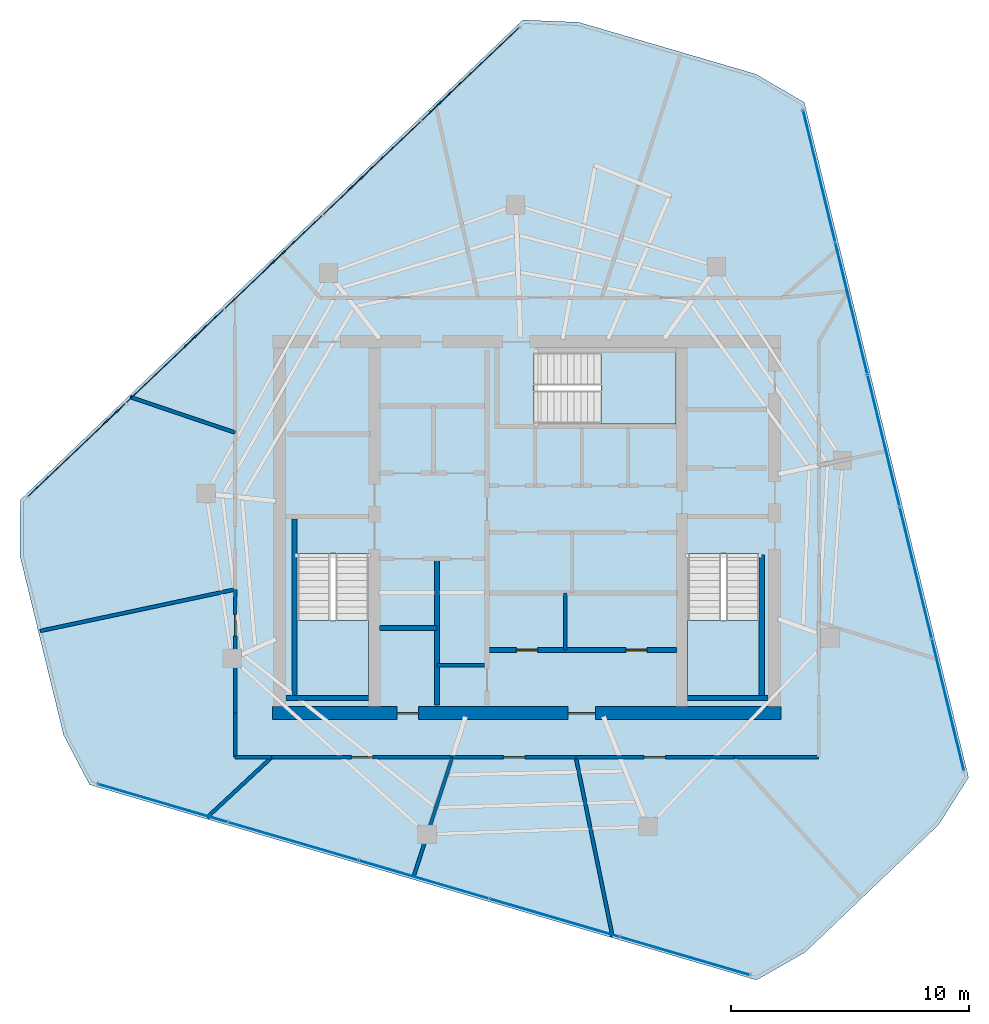
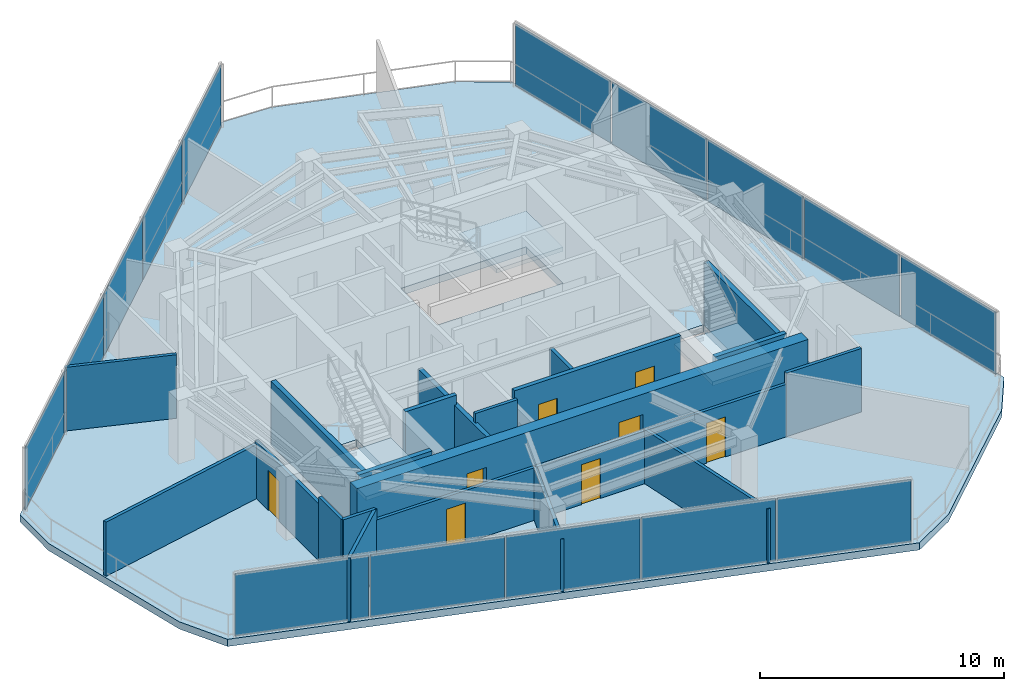
# One storey, part 14 of 19: 22 walls, 15 plates, 8 doors, 4 slabs, 8 openings, 6 elements without a shape of their own.
"""IFC4 building model written with IfcOpenShell, lengths in metres."""

from ifc_helpers import new_model, si_unit, direction, frame, frame_2d, origin, origin_2d, place, context, subcontext, project, spatial, polyline, rectangle, outline, extrude, material, layer, layer_set, type_object, element, fill, aggregate, save


model = new_model("IFC4")

# Units and contexts
model_context = context("Model", 3, precision=1e-05, world=origin(), true_north=direction((0.0, 1.0)))
body_context = subcontext(model_context, "Body", "Model", "MODEL_VIEW")
ifc_project = project(units=[si_unit("LENGTHUNIT", "METRE"), si_unit("AREAUNIT", "SQUARE_METRE"), si_unit("VOLUMEUNIT", "CUBIC_METRE"), si_unit("PLANEANGLEUNIT", "RADIAN"), si_unit("MASSUNIT", "GRAM", prefix="KILO")], contexts=[model_context])

# Site, building, storey
site_placement = place(None, origin())
site = spatial("IfcSite", under=ifc_project, at=site_placement, CompositionType="ELEMENT")
building_placement = place(site_placement, origin())
building = spatial("IfcBuilding", under=site, at=building_placement, Name="Qarnah Convention Tower", CompositionType="ELEMENT")
storey_placement = place(building_placement, frame((0.0, 0.0, 231.89990234375)))
storey = spatial("IfcBuildingStorey", under=building, at=storey_placement, Name="L62", CompositionType="ELEMENT", Elevation=231.89990234375)

# Curtain wall, plates
ifc_material_1 = material(Name="Tempered Low-E dark glass", Category="glass")
ifc_layer_1 = layer(ifc_material_1, 0.176025390625)
ifc_layer_set_1 = layer_set([ifc_layer_1], Name="Tempered Low-E dark glass")
curtain_wall_type = type_object("IfcCurtainWallType", Name="CWS-05", PredefinedType="NOTDEFINED", material=ifc_layer_set_1)
curtain_wall_1_placement = place(storey_placement, origin())
curtain_wall_1 = element("IfcCurtainWall", 1, at=curtain_wall_1_placement, inside=storey, type_object=curtain_wall_type, Name="L62 unitised curtain wall CW-L62-F1", PredefinedType="NOTDEFINED")
ifc_layer_2 = layer(ifc_material_1, 0.035888671875)
ifc_layer_set_2 = layer_set([ifc_layer_2], Name="Tempered Low-E dark glass")
plate_type = type_object("IfcPlateType", Name="PNL-T5", PredefinedType="CURTAIN_PANEL", material=ifc_layer_set_2)
plate_1_placement = place(storey_placement, frame((18.29150390625, 29.6513671875, 0.0400390625), z_axis=(0.0, 0.0, 1.0), x_axis=(0.723193439015, 0.6906455312, 0.0)))
plate_1 = element("IfcPlate", 2, at=plate_1_placement, type_object=plate_type, Name="CW-L62-F1 curtain panel 1.1", PredefinedType="CURTAIN_PANEL", context=body_context, shape_type="SweptSolid", body=[
    extrude(rectangle(XDim=5.634765625, YDim=0.035888671875, at=origin_2d()), origin(), (0.0, 0.0, 1.0), 3.10009765625),
])
plate_2_placement = place(storey_placement, frame((22.42431640625, 33.59814453125, 0.0400390625), z_axis=(0.0, 0.0, 1.0), x_axis=(0.723193439015, 0.6906455312, 0.0)))
plate_2 = element("IfcPlate", 3, at=plate_2_placement, type_object=plate_type, Name="CW-L62-F1 curtain panel 2.1", PredefinedType="CURTAIN_PANEL", context=body_context, shape_type="SweptSolid", body=[
    extrude(rectangle(XDim=5.634765625, YDim=0.035888671875, at=origin_2d()), origin(), (0.0, 0.0, 1.0), 3.10009765625),
])
plate_3_placement = place(storey_placement, frame((26.556884765625, 37.544921875, 0.0400390625), z_axis=(0.0, 0.0, 1.0), x_axis=(0.723193439015, 0.6906455312, 0.0)))
plate_3 = element("IfcPlate", 4, at=plate_3_placement, type_object=plate_type, Name="CW-L62-F1 curtain panel 3.1", PredefinedType="CURTAIN_PANEL", context=body_context, shape_type="SweptSolid", body=[
    extrude(rectangle(XDim=5.634765625, YDim=0.035888671875, at=origin_2d()), origin(), (0.0, 0.0, 1.0), 3.10009765625),
])
plate_4_placement = place(storey_placement, frame((30.689697265625, 41.49169921875, 0.0400390625), z_axis=(0.0, 0.0, 1.0), x_axis=(0.723193439015, 0.6906455312, 0.0)))
plate_4 = element("IfcPlate", 5, at=plate_4_placement, type_object=plate_type, Name="CW-L62-F1 curtain panel 4.1", PredefinedType="CURTAIN_PANEL", context=body_context, shape_type="SweptSolid", body=[
    extrude(rectangle(XDim=5.634765625, YDim=0.035888671875, at=origin_2d()), origin(), (0.0, 0.0, 1.0), 3.10009765625),
])
plate_5_placement = place(storey_placement, frame((34.822509765625, 45.438720703125, 0.0400390625), z_axis=(0.0, 0.0, 1.0), x_axis=(0.723193439015, 0.6906455312, 0.0)))
plate_5 = element("IfcPlate", 6, at=plate_5_placement, type_object=plate_type, Name="CW-L62-F1 curtain panel 5.1", PredefinedType="CURTAIN_PANEL", context=body_context, shape_type="SweptSolid", body=[
    extrude(rectangle(XDim=5.634765625, YDim=0.035888671875, at=origin_2d()), origin(), (0.0, 0.0, 1.0), 3.10009765625),
])
aggregate(curtain_wall_1, [plate_1, plate_2, plate_3, plate_4, plate_5])

curtain_wall_2_placement = place(storey_placement, origin())
curtain_wall_2 = element("IfcCurtainWall", 7, at=curtain_wall_2_placement, inside=storey, type_object=curtain_wall_type, Name="L62 unitised curtain wall CW-L62-F2", PredefinedType="NOTDEFINED")
plate_6_placement = place(storey_placement, frame((43.837890625, 8.39794921875, 0.0400390625), z_axis=(0.0, 0.0, 1.0), x_axis=(-0.959696432699, 0.28103871097, 0.0)))
plate_6 = element("IfcPlate", 8, at=plate_6_placement, type_object=plate_type, Name="CW-L62-F2 curtain panel 1.1", PredefinedType="CURTAIN_PANEL", context=body_context, shape_type="SweptSolid", body=[
    extrude(rectangle(XDim=5.634521484375, YDim=0.035888671875, at=origin_2d()), origin(), (0.0, 0.0, 1.0), 3.10009765625),
])
plate_7_placement = place(storey_placement, frame((38.353759765625, 10.00390625, 0.0400390625), z_axis=(0.0, 0.0, 1.0), x_axis=(-0.959696432699, 0.28103871097, 0.0)))
plate_7 = element("IfcPlate", 9, at=plate_7_placement, type_object=plate_type, Name="CW-L62-F2 curtain panel 2.1", PredefinedType="CURTAIN_PANEL", context=body_context, shape_type="SweptSolid", body=[
    extrude(rectangle(XDim=5.634521484375, YDim=0.035888671875, at=origin_2d()), origin(), (0.0, 0.0, 1.0), 3.10009765625),
])
plate_8_placement = place(storey_placement, frame((32.869384765625, 11.610107421875, 0.0400390625), z_axis=(0.0, 0.0, 1.0), x_axis=(-0.959696432699, 0.28103871097, 0.0)))
plate_8 = element("IfcPlate", 10, at=plate_8_placement, type_object=plate_type, Name="CW-L62-F2 curtain panel 3.1", PredefinedType="CURTAIN_PANEL", context=body_context, shape_type="SweptSolid", body=[
    extrude(rectangle(XDim=5.634521484375, YDim=0.035888671875, at=origin_2d()), origin(), (0.0, 0.0, 1.0), 3.10009765625),
])
plate_9_placement = place(storey_placement, frame((27.38525390625, 13.216064453125, 0.0400390625), z_axis=(0.0, 0.0, 1.0), x_axis=(-0.959696432699, 0.28103871097, 0.0)))
plate_9 = element("IfcPlate", 11, at=plate_9_placement, type_object=plate_type, Name="CW-L62-F2 curtain panel 4.1", PredefinedType="CURTAIN_PANEL", context=body_context, shape_type="SweptSolid", body=[
    extrude(rectangle(XDim=5.634521484375, YDim=0.035888671875, at=origin_2d()), origin(), (0.0, 0.0, 1.0), 3.10009765625),
])
plate_10_placement = place(storey_placement, frame((21.901123046875, 14.822021484375, 0.0400390625), z_axis=(0.0, 0.0, 1.0), x_axis=(-0.959696432699, 0.28103871097, 0.0)))
plate_10 = element("IfcPlate", 12, at=plate_10_placement, type_object=plate_type, Name="CW-L62-F2 curtain panel 5.1", PredefinedType="CURTAIN_PANEL", context=body_context, shape_type="SweptSolid", body=[
    extrude(rectangle(XDim=5.634521484375, YDim=0.035888671875, at=origin_2d()), origin(), (0.0, 0.0, 1.0), 3.10009765625),
])
aggregate(curtain_wall_2, [plate_6, plate_7, plate_8, plate_9, plate_10])

curtain_wall_3_placement = place(storey_placement, origin())
curtain_wall_3 = element("IfcCurtainWall", 13, at=curtain_wall_3_placement, inside=storey, type_object=curtain_wall_type, Name="L62 unitised curtain wall CW-L62-F3", PredefinedType="NOTDEFINED")
plate_11_placement = place(storey_placement, frame((49.470703125, 41.14892578125, 0.0400390625), z_axis=(0.0, 0.0, 1.0), x_axis=(0.236494469189, -0.971632834996, 0.0)))
plate_11 = element("IfcPlate", 14, at=plate_11_placement, type_object=plate_type, Name="CW-L62-F3 curtain panel 1.1", PredefinedType="CURTAIN_PANEL", context=body_context, shape_type="SweptSolid", body=[
    extrude(rectangle(XDim=5.63427734375, YDim=0.035888671875, at=origin_2d()), origin(), (0.0, 0.0, 1.0), 3.10009765625),
])
plate_12_placement = place(storey_placement, frame((50.822021484375, 35.5966796875, 0.0400390625), z_axis=(0.0, 0.0, 1.0), x_axis=(0.236494469189, -0.971632834996, 0.0)))
plate_12 = element("IfcPlate", 15, at=plate_12_placement, type_object=plate_type, Name="CW-L62-F3 curtain panel 2.1", PredefinedType="CURTAIN_PANEL", context=body_context, shape_type="SweptSolid", body=[
    extrude(rectangle(XDim=5.63427734375, YDim=0.035888671875, at=origin_2d()), origin(), (0.0, 0.0, 1.0), 3.10009765625),
])
plate_13_placement = place(storey_placement, frame((52.173583984375, 30.04443359375, 0.0400390625), z_axis=(0.0, 0.0, 1.0), x_axis=(0.236494469189, -0.971632834996, 0.0)))
plate_13 = element("IfcPlate", 16, at=plate_13_placement, type_object=plate_type, Name="CW-L62-F3 curtain panel 3.1", PredefinedType="CURTAIN_PANEL", context=body_context, shape_type="SweptSolid", body=[
    extrude(rectangle(XDim=5.63427734375, YDim=0.035888671875, at=origin_2d()), origin(), (0.0, 0.0, 1.0), 3.10009765625),
])
plate_14_placement = place(storey_placement, frame((53.52490234375, 24.4921875, 0.0400390625), z_axis=(0.0, 0.0, 1.0), x_axis=(0.236494469189, -0.971632834996, 0.0)))
plate_14 = element("IfcPlate", 17, at=plate_14_placement, type_object=plate_type, Name="CW-L62-F3 curtain panel 4.1", PredefinedType="CURTAIN_PANEL", context=body_context, shape_type="SweptSolid", body=[
    extrude(rectangle(XDim=5.63427734375, YDim=0.035888671875, at=origin_2d()), origin(), (0.0, 0.0, 1.0), 3.10009765625),
])
plate_15_placement = place(storey_placement, frame((54.876220703125, 18.940185546875, 0.0400390625), z_axis=(0.0, 0.0, 1.0), x_axis=(0.236494469189, -0.971632834996, 0.0)))
plate_15 = element("IfcPlate", 18, at=plate_15_placement, type_object=plate_type, Name="CW-L62-F3 curtain panel 5.1", PredefinedType="CURTAIN_PANEL", context=body_context, shape_type="SweptSolid", body=[
    extrude(rectangle(XDim=5.63427734375, YDim=0.035888671875, at=origin_2d()), origin(), (0.0, 0.0, 1.0), 3.10009765625),
])
aggregate(curtain_wall_3, [plate_11, plate_12, plate_13, plate_14, plate_15])

# Stair, slab
ifc_material_2 = material(Name="Concrete C50/60", Category="concrete")
stair_type = type_object("IfcStairType", Name="STR-OFF", PredefinedType="HALF_TURN_STAIR", material=ifc_material_2)
stair_1_placement = place(storey_placement, origin())
stair_1 = element("IfcStair", 19, at=stair_1_placement, inside=storey, type_object=stair_type, Name="L62 Core exit stair ST-1", PredefinedType="HALF_TURN_STAIR")
ifc_layer_3 = layer(ifc_material_2, 0.199951171875)
ifc_layer_set_3 = layer_set([ifc_layer_3], Name="Concrete C50/60")
slab_type_1 = type_object("IfcSlabType", Name="SLB-LANDING-200", PredefinedType="LANDING", material=ifc_layer_set_3)
slab_1_placement = place(storey_placement, frame((0.0, 0.0, 1.60009765625)))
slab_1 = element("IfcSlab", 20, at=slab_1_placement, type_object=slab_type_1, Name="ST-1 landing 1", PredefinedType="LANDING", context=body_context, shape_type="SweptSolid", body=[
    extrude(outline(polyline([(27.550048828125, 22.5), (27.550048828125, 19.35009765625), (30.550048828125, 19.35009765625), (30.550048828125, 22.5), (27.550048828125, 22.5)])), origin(), (0.0, 0.0, 1.0), 0.199951171875),
])
aggregate(stair_1, [slab_1])

stair_2_placement = place(storey_placement, origin())
stair_2 = element("IfcStair", 21, at=stair_2_placement, inside=storey, type_object=stair_type, Name="L62 Core exit stair ST-2", PredefinedType="HALF_TURN_STAIR")
slab_2_placement = place(storey_placement, frame((0.0, 0.0, 1.60009765625)))
slab_2 = element("IfcSlab", 22, at=slab_2_placement, type_object=slab_type_1, Name="ST-2 landing 1", PredefinedType="LANDING", context=body_context, shape_type="SweptSolid", body=[
    extrude(outline(polyline([(43.949951171875, 22.5), (43.949951171875, 19.35009765625), (46.949951171875, 19.35009765625), (46.949951171875, 22.5), (43.949951171875, 22.5)])), origin(), (0.0, 0.0, 1.0), 0.199951171875),
])
aggregate(stair_2, [slab_2])

stair_3_placement = place(storey_placement, origin())
stair_3 = element("IfcStair", 23, at=stair_3_placement, inside=storey, type_object=stair_type, Name="L62 Core exit stair ST-3", PredefinedType="HALF_TURN_STAIR")
slab_3_placement = place(storey_placement, frame((0.0, 0.0, 1.60009765625)))
slab_3 = element("IfcSlab", 24, at=slab_3_placement, type_object=slab_type_1, Name="ST-3 landing 1", PredefinedType="LANDING", context=body_context, shape_type="SweptSolid", body=[
    extrude(outline(polyline([(40.300048828125, 30.75), (43.449951171875, 30.75), (43.449951171875, 33.75), (40.300048828125, 33.75), (40.300048828125, 30.75)])), origin(), (0.0, 0.0, 1.0), 0.199951171875),
])
aggregate(stair_3, [slab_3])

# Slab
ifc_layer_4 = layer(ifc_material_2, 0.360107421875)
ifc_layer_set_4 = layer_set([ifc_layer_4], Name="Concrete C50/60")
slab_type_2 = type_object("IfcSlabType", Name="SLB-PLT-360", PredefinedType="FLOOR", material=ifc_layer_set_4)
slab_4_placement = place(storey_placement, frame((0.0, 0.0, -0.35986328125)))
element("IfcSlab", 25, at=slab_4_placement, inside=storey, type_object=slab_type_2, Name="L62 structural floor slab", PredefinedType="FLOOR", context=body_context, shape_type="SweptSolid", body=[
    extrude(outline(polyline([(37.02294921875, 47.7060546875), (15.925048828125, 27.55810546875), (15.912109375, 25.2060546875), (17.7451171875, 17.677001953125), (18.8369140625, 15.593994140625), (46.833984375, 7.39599609375), (48.8779296875, 8.56103515625), (54.48193359375, 13.9130859375), (55.739990234375, 15.90087890625), (48.841064453125, 44.2451171875), (46.81005859375, 45.43310546875), (39.373046875, 47.610107421875), (37.02294921875, 47.7060546875)]), holes=[polyline([(27.550048828125, 25.300048828125), (27.550048828125, 19.35009765625), (30.550048828125, 19.35009765625), (30.550048828125, 25.300048828125), (27.550048828125, 25.300048828125)]), polyline([(43.949951171875, 25.300048828125), (43.949951171875, 19.35009765625), (46.949951171875, 19.35009765625), (46.949951171875, 25.300048828125), (43.949951171875, 25.300048828125)]), polyline([(37.5, 30.75), (43.449951171875, 30.75), (43.449951171875, 33.75), (37.5, 33.75), (37.5, 30.75)])]), origin(), (0.0, 0.0, 1.0), 0.35986328125),
])

# Wall, openings, doors
ifc_material_3 = material(Name="Concrete C60/75", Category="concrete")
ifc_layer_5 = layer(ifc_material_3, 0.550048828125)
ifc_layer_set_5 = layer_set([ifc_layer_5], Name="Concrete C60/75")
wall_type_1 = type_object("IfcWallType", Name="WL-CORE-550", PredefinedType="SHEAR", material=ifc_layer_set_5)
wall_1_placement = place(storey_placement, frame((26.52490234375, 18.60009765625, 0.0), z_axis=(0.0, 0.0, 1.0), x_axis=(1.0, 0.0, 0.0)))
wall_1 = element("IfcWall", 26, at=wall_1_placement, inside=storey, type_object=wall_type_1, Name="L62 core south shear wall", PredefinedType="SHEAR", context=body_context, shape_type="SweptSolid", body=[
    extrude(rectangle(XDim=21.35009765625, YDim=0.550048828125, at=frame_2d((10.675048828125, 0.0))), origin(), (0.0, 0.0, 1.0), 3.18017578125),
])
opening_1_placement = place(wall_1_placement, frame((12.39990234375, 0.0, 0.0)))
opening_1 = element("IfcOpeningElement", 27, at=opening_1_placement, cuts=wall_1, Name="Opening D-6207", PredefinedType="OPENING", context=body_context, shape_type="SweptSolid", body=[
    extrude(rectangle(XDim=1.14990234375, YDim=2.14990234375, at=frame_2d((0.574951171875, 1.074951171875))), frame((0.0, 0.284912109375, 0.0), z_axis=(0.0, -1.0, 0.0), x_axis=(1.0, 0.0, 0.0)), (0.0, 0.0, 1.0), 0.570068359375),
])
opening_2_placement = place(wall_1_placement, frame((5.22509765625, 0.0, 0.0)))
opening_2 = element("IfcOpeningElement", 28, at=opening_2_placement, cuts=wall_1, Name="Opening D-6213", PredefinedType="OPENING", context=body_context, shape_type="SweptSolid", body=[
    extrude(rectangle(XDim=0.89990234375, YDim=2.10009765625, at=frame_2d((0.449951171875, 1.050048828125))), frame((0.0, 0.284912109375, 0.0), z_axis=(0.0, -1.0, 0.0), x_axis=(1.0, 0.0, 0.0)), (0.0, 0.0, 1.0), 0.570068359375),
])
ifc_material_4 = material(Name="Structural steel S355JR", Category="steel")
door_type_1 = type_object("IfcDoorType", Name="DT-LOBBY-1150", OperationType="NOTDEFINED", PredefinedType="DOOR", material=ifc_material_4)
door_1_placement = place(opening_1_placement, origin())
door_1 = element("IfcDoor", 29, at=door_1_placement, inside=storey, type_object=door_type_1, Name="Door D-6207", OperationType="SINGLE_SWING_LEFT", OverallHeight=2.14990234375, OverallWidth=1.14990234375, PredefinedType="DOOR", context=body_context, shape_type="SweptSolid", body=[
    extrude(rectangle(XDim=1.14990234375, YDim=2.14990234375, at=frame_2d((0.574951171875, 1.074951171875))), frame((0.0, 0.02490234375, 0.0), z_axis=(0.0, -1.0, 0.0), x_axis=(1.0, 0.0, 0.0)), (0.0, 0.0, 1.0), 0.050048828125),
])
fill(opening_1, door_1)
door_type_2 = type_object("IfcDoorType", Name="DT-RISER-900", OperationType="NOTDEFINED", PredefinedType="DOOR", material=ifc_material_4)
door_2_placement = place(opening_2_placement, origin())
door_2 = element("IfcDoor", 30, at=door_2_placement, inside=storey, type_object=door_type_2, Name="Door D-6213", OperationType="SINGLE_SWING_LEFT", OverallHeight=2.10009765625, OverallWidth=0.89990234375, PredefinedType="DOOR", context=body_context, shape_type="SweptSolid", body=[
    extrude(rectangle(XDim=0.89990234375, YDim=2.10009765625, at=frame_2d((0.449951171875, 1.050048828125))), frame((0.0, 0.02490234375, 0.0), z_axis=(0.0, -1.0, 0.0), x_axis=(1.0, 0.0, 0.0)), (0.0, 0.0, 1.0), 0.050048828125),
])
fill(opening_2, door_2)

# Walls
ifc_material_5 = material(Name="Concrete C45/55", Category="concrete")
ifc_layer_6 = layer(ifc_material_5, 0.199951171875)
ifc_layer_set_6 = layer_set([ifc_layer_6], Name="Concrete C45/55")
wall_type_2 = type_object("IfcWallType", Name="WL-CORE-PART-200", PredefinedType="SOLIDWALL", material=ifc_layer_set_6)
wall_2_placement = place(storey_placement, frame((33.419921875, 18.949951171875, 0.0), z_axis=(0.0, 0.0, 1.0), x_axis=(0.0, 1.0, 0.0)))
element("IfcWall", 31, at=wall_2_placement, inside=storey, type_object=wall_type_2, Name="L62 interior wall IW-L62-SVLE", PredefinedType="SOLIDWALL", context=body_context, shape_type="SweptSolid", body=[
    extrude(rectangle(XDim=6.130126953125, YDim=0.199951171875, at=frame_2d((3.06494140625, 0.0))), origin(), (0.0, 0.0, 1.0), 2.701171875),
])
wall_3_placement = place(storey_placement, frame((31.0, 22.179931640625, 0.0), z_axis=(0.0, 0.0, 1.0), x_axis=(1.0, 0.0, 0.0)))
element("IfcWall", 32, at=wall_3_placement, inside=storey, type_object=wall_type_2, Name="L62 interior wall IW-L62-SVLS", PredefinedType="SOLIDWALL", context=body_context, shape_type="SweptSolid", body=[
    extrude(rectangle(XDim=2.419921875, YDim=0.199951171875, at=frame_2d((1.2099609375, 0.0))), origin(), (0.0, 0.0, 1.0), 3.18017578125),
])

# Wall, openings, doors
wall_4_placement = place(storey_placement, frame((35.6201171875, 21.25, 0.0), z_axis=(0.0, 0.0, 1.0), x_axis=(1.0, 0.0, 0.0)))
wall_4 = element("IfcWall", 33, at=wall_4_placement, inside=storey, type_object=wall_type_2, Name="L62 interior wall IW-L62-PLS", PredefinedType="SOLIDWALL", context=body_context, shape_type="SweptSolid", body=[
    extrude(rectangle(XDim=7.8798828125, YDim=0.199951171875, at=frame_2d((3.93994140625, 0.0))), origin(), (0.0, 0.0, 1.0), 3.18017578125),
])
opening_3_placement = place(wall_4_placement, frame((1.1298828125, 0.0, 0.0)))
opening_3 = element("IfcOpeningElement", 34, at=opening_3_placement, cuts=wall_4, Name="Opening D-6216", PredefinedType="OPENING", context=body_context, shape_type="SweptSolid", body=[
    extrude(rectangle(XDim=0.89990234375, YDim=2.10009765625, at=frame_2d((0.449951171875, 1.050048828125))), frame((0.0, 0.10986328125, 0.0), z_axis=(0.0, -1.0, 0.0), x_axis=(1.0, 0.0, 0.0)), (0.0, 0.0, 1.0), 0.219970703125),
])
opening_4_placement = place(wall_4_placement, frame((5.72998046875, 0.0, 0.0)))
opening_4 = element("IfcOpeningElement", 35, at=opening_4_placement, cuts=wall_4, Name="Opening D-6217", PredefinedType="OPENING", context=body_context, shape_type="SweptSolid", body=[
    extrude(rectangle(XDim=0.89990234375, YDim=2.10009765625, at=frame_2d((0.449951171875, 1.050048828125))), frame((0.0, 0.10986328125, 0.0), z_axis=(0.0, -1.0, 0.0), x_axis=(1.0, 0.0, 0.0)), (0.0, 0.0, 1.0), 0.219970703125),
])
door_3_placement = place(opening_3_placement, origin())
door_3 = element("IfcDoor", 36, at=door_3_placement, inside=storey, type_object=door_type_2, Name="Door D-6216", OperationType="SINGLE_SWING_RIGHT", OverallHeight=2.10009765625, OverallWidth=0.89990234375, PredefinedType="DOOR", context=body_context, shape_type="SweptSolid", body=[
    extrude(rectangle(XDim=0.89990234375, YDim=2.10009765625, at=frame_2d((0.449951171875, 1.050048828125))), frame((0.0, 0.02490234375, 0.0), z_axis=(0.0, -1.0, 0.0), x_axis=(1.0, 0.0, 0.0)), (0.0, 0.0, 1.0), 0.050048828125),
])
fill(opening_3, door_3)
door_4_placement = place(opening_4_placement, origin())
door_4 = element("IfcDoor", 37, at=door_4_placement, inside=storey, type_object=door_type_2, Name="Door D-6217", OperationType="SINGLE_SWING_LEFT", OverallHeight=2.10009765625, OverallWidth=0.89990234375, PredefinedType="DOOR", context=body_context, shape_type="SweptSolid", body=[
    extrude(rectangle(XDim=0.89990234375, YDim=2.10009765625, at=frame_2d((0.449951171875, 1.050048828125))), frame((0.0, 0.02490234375, 0.0), z_axis=(0.0, -1.0, 0.0), x_axis=(1.0, 0.0, 0.0)), (0.0, 0.0, 1.0), 0.050048828125),
])
fill(opening_4, door_4)

# Walls
ifc_layer_7 = layer(ifc_material_3, 0.219970703125)
ifc_layer_set_7 = layer_set([ifc_layer_7], Name="Concrete C60/75")
wall_type_3 = type_object("IfcWallType", Name="WL-CORE-STAIR-220", PredefinedType="SHEAR", material=ifc_layer_set_7)
wall_5_placement = place(storey_placement, frame((27.43994140625, 19.35009765625, 0.0), z_axis=(0.0, 0.0, 1.0), x_axis=(0.0, 1.0, 0.0)))
element("IfcWall", 38, at=wall_5_placement, inside=storey, type_object=wall_type_3, Name="L62 stair shaft shear wall SW-L62-ST1W", PredefinedType="SHEAR", context=body_context, shape_type="SweptSolid", body=[
    extrude(rectangle(XDim=7.39990234375, YDim=0.219970703125, at=frame_2d((3.699951171875, 0.0))), origin(), (0.0, 0.0, 1.0), 3.18017578125),
])
wall_6_placement = place(storey_placement, frame((27.074951171875, 19.239990234375, 0.0), z_axis=(0.0, 0.0, 1.0), x_axis=(1.0, 0.0, 0.0)))
element("IfcWall", 39, at=wall_6_placement, inside=storey, type_object=wall_type_3, Name="L62 stair shaft shear wall SW-L62-ST1S", PredefinedType="SHEAR", context=body_context, shape_type="SweptSolid", body=[
    extrude(rectangle(XDim=3.47509765625, YDim=0.219970703125, at=frame_2d((1.737548828125, 0.0))), origin(), (0.0, 0.0, 1.0), 3.18017578125),
])
wall_7_placement = place(storey_placement, frame((47.06005859375, 19.35009765625, 0.0), z_axis=(0.0, 0.0, 1.0), x_axis=(0.0, 1.0, 0.0)))
element("IfcWall", 40, at=wall_7_placement, inside=storey, type_object=wall_type_3, Name="L62 stair shaft shear wall SW-L62-ST2E", PredefinedType="SHEAR", context=body_context, shape_type="SweptSolid", body=[
    extrude(rectangle(XDim=5.89990234375, YDim=0.219970703125, at=frame_2d((2.949951171875, 0.0))), origin(), (0.0, 0.0, 1.0), 3.18017578125),
])
wall_8_placement = place(storey_placement, frame((43.949951171875, 19.239990234375, 0.0), z_axis=(0.0, 0.0, 1.0), x_axis=(1.0, 0.0, 0.0)))
element("IfcWall", 41, at=wall_8_placement, inside=storey, type_object=wall_type_3, Name="L62 stair shaft shear wall SW-L62-ST2S", PredefinedType="SHEAR", context=body_context, shape_type="SweptSolid", body=[
    extrude(rectangle(XDim=3.375, YDim=0.219970703125, at=frame_2d((1.6875, 0.0))), origin(), (0.0, 0.0, 1.0), 3.18017578125),
])
ifc_material_6 = material(Name="Gypsum partition board")
ifc_layer_8 = layer(ifc_material_6, 0.14990234375)
ifc_layer_set_8 = layer_set([ifc_layer_8], Name="Gypsum partition board")
wall_type_4 = type_object("IfcWallType", Name="WL-SUITE-150", PredefinedType="PARTITIONING", material=ifc_layer_set_8)
wall_9_placement = place(storey_placement, frame((33.419921875, 20.6201171875, 0.0), z_axis=(0.0, 0.0, 1.0), x_axis=(1.0, 0.0, 0.0)))
element("IfcWall", 42, at=wall_9_placement, inside=storey, type_object=wall_type_4, Name="L62 interior wall IW-L62-CSV1", PredefinedType="PARTITIONING", context=body_context, shape_type="SweptSolid", body=[
    extrude(rectangle(XDim=2.0, YDim=0.14990234375, at=frame_2d((1.0, 0.0))), origin(), (0.0, 0.0, 1.0), 3.18017578125),
])
wall_10_placement = place(storey_placement, frame((38.800048828125, 21.25, 0.0), z_axis=(0.0, 0.0, 1.0), x_axis=(0.0, 1.0, 0.0)))
element("IfcWall", 43, at=wall_10_placement, inside=storey, type_object=wall_type_4, Name="L62 interior wall IW-L62-PLFD", PredefinedType="PARTITIONING", context=body_context, shape_type="SweptSolid", body=[
    extrude(rectangle(XDim=2.39990234375, YDim=0.14990234375, at=frame_2d((1.199951171875, 0.0))), origin(), (0.0, 0.0, 1.0), 2.701171875),
])
wall_11_placement = place(storey_placement, frame((20.5439453125, 31.8720703125, 0.0), z_axis=(0.0, 0.0, 1.0), x_axis=(0.947155635017, -0.320774380297, 0.0)))
element("IfcWall", 44, at=wall_11_placement, inside=storey, type_object=wall_type_4, Name="L62 interior wall IW-L62-R-06", PredefinedType="PARTITIONING", context=body_context, shape_type="SweptSolid", body=[
    extrude(rectangle(XDim=4.65185546875, YDim=0.14990234375, at=frame_2d((2.325927734375, 0.0))), origin(), (0.0, 0.0, 1.0), 3.18017578125),
])
wall_12_placement = place(storey_placement, frame((16.761962890625, 22.052001953125, 0.0), z_axis=(0.0, 0.0, 1.0), x_axis=(0.978062839509, 0.208310062097, 0.0)))
element("IfcWall", 45, at=wall_12_placement, inside=storey, type_object=wall_type_4, Name="L62 interior wall IW-L62-R-08", PredefinedType="PARTITIONING", context=body_context, shape_type="SweptSolid", body=[
    extrude(rectangle(XDim=8.37158203125, YDim=0.14990234375, at=frame_2d((4.185791015625, 0.0))), origin(), (0.0, 0.0, 1.0), 2.705078125),
])
wall_13_placement = place(storey_placement, frame((23.76708984375, 14.220947265625, 0.0), z_axis=(0.0, 0.0, 1.0), x_axis=(0.731822693404, 0.681495080994, 0.0)))
element("IfcWall", 46, at=wall_13_placement, inside=storey, type_object=wall_type_4, Name="L62 interior wall IW-L62-R-10", PredefinedType="PARTITIONING", context=body_context, shape_type="SweptSolid", body=[
    extrude(rectangle(XDim=3.7109375, YDim=0.14990234375, at=frame_2d((1.85546875, 0.0))), origin(), (0.0, 0.0, 1.0), 3.18017578125),
])
wall_14_placement = place(storey_placement, frame((26.48291015625, 16.75, 0.0), z_axis=(0.0, 0.0, 1.0), x_axis=(-1.0, 0.0, 0.0)))
element("IfcWall", 47, at=wall_14_placement, inside=storey, type_object=wall_type_4, Name="L62 interior wall IW-L62-R-11", PredefinedType="PARTITIONING", context=body_context, shape_type="SweptSolid", body=[
    extrude(rectangle(XDim=1.532958984375, YDim=0.14990234375, at=frame_2d((0.7666015625, 0.0))), origin(), (0.0, 0.0, 1.0), 3.18017578125),
])
wall_15_placement = place(storey_placement, frame((24.949951171875, 16.75, 0.0), z_axis=(0.0, 0.0, 1.0), x_axis=(0.0, 1.0, 0.0)))
element("IfcWall", 48, at=wall_15_placement, inside=storey, type_object=wall_type_4, Name="L62 interior wall IW-L62-R-12", PredefinedType="PARTITIONING", context=body_context, shape_type="SweptSolid", body=[
    extrude(rectangle(XDim=1.85009765625, YDim=0.14990234375, at=frame_2d((0.925048828125, 0.0))), origin(), (0.0, 0.0, 1.0), 3.18017578125),
])

# Wall, opening, door
wall_16_placement = place(storey_placement, frame((24.949951171875, 18.60009765625, 0.0), z_axis=(0.0, 0.0, 1.0), x_axis=(0.0, 1.0, 0.0)))
wall_16 = element("IfcWall", 49, at=wall_16_placement, inside=storey, type_object=wall_type_4, Name="L62 interior wall IW-L62-R-13", PredefinedType="PARTITIONING", context=body_context, shape_type="SweptSolid", body=[
    extrude(rectangle(XDim=5.19580078125, YDim=0.14990234375, at=frame_2d((2.597900390625, 0.0))), origin(), (0.0, 0.0, 1.0), 2.85302734375),
])
opening_5_placement = place(wall_16_placement, frame((3.238037109375, 0.0, 0.0)))
opening_5 = element("IfcOpeningElement", 50, at=opening_5_placement, cuts=wall_16, Name="Opening D-6224", PredefinedType="OPENING", context=body_context, shape_type="SweptSolid", body=[
    extrude(rectangle(XDim=0.89990234375, YDim=2.0, at=frame_2d((0.449951171875, 1.0))), frame((0.0, 0.0849609375, 0.0), z_axis=(0.0, -1.0, 0.0), x_axis=(1.0, 0.0, 0.0)), (0.0, 0.0, 1.0), 0.169921875),
])
door_type_3 = type_object("IfcDoorType", Name="DT-PLANT-900", OperationType="NOTDEFINED", PredefinedType="DOOR", material=ifc_material_4)
door_5_placement = place(opening_5_placement, origin())
door_5 = element("IfcDoor", 51, at=door_5_placement, inside=storey, type_object=door_type_3, Name="Door D-6224", OperationType="SINGLE_SWING_RIGHT", OverallHeight=2.0, OverallWidth=0.89990234375, PredefinedType="DOOR", context=body_context, shape_type="SweptSolid", body=[
    extrude(rectangle(XDim=0.89990234375, YDim=2.0, at=frame_2d((0.449951171875, 1.0))), frame((0.0, 0.02490234375, 0.0), z_axis=(0.0, -1.0, 0.0), x_axis=(1.0, 0.0, 0.0)), (0.0, 0.0, 1.0), 0.050048828125),
])
fill(opening_5, door_5)

# Wall
wall_17_placement = place(storey_placement, frame((32.427001953125, 11.697998046875, 0.0), z_axis=(0.0, 0.0, 1.0), x_axis=(0.308411389708, 0.951253076052, 0.0)))
element("IfcWall", 52, at=wall_17_placement, inside=storey, type_object=wall_type_4, Name="L62 interior wall IW-L62-R-14", PredefinedType="PARTITIONING", context=body_context, shape_type="SweptSolid", body=[
    extrude(rectangle(XDim=5.310791015625, YDim=0.14990234375, at=frame_2d((2.6552734375, 0.0))), origin(), (0.0, 0.0, 1.0), 2.625),
])

# Wall, opening, door
wall_18_placement = place(storey_placement, frame((34.06494140625, 16.75, 0.0), z_axis=(0.0, 0.0, 1.0), x_axis=(-1.0, 0.0, 0.0)))
wall_18 = element("IfcWall", 53, at=wall_18_placement, inside=storey, type_object=wall_type_4, Name="L62 interior wall IW-L62-R-15", PredefinedType="PARTITIONING", context=body_context, shape_type="SweptSolid", body=[
    extrude(rectangle(XDim=7.58203125, YDim=0.14990234375, at=frame_2d((3.791015625, 0.0))), origin(), (0.0, 0.0, 1.0), 2.625),
])
opening_6_placement = place(wall_18_placement, frame((3.341064453125, 0.0, 0.0)))
opening_6 = element("IfcOpeningElement", 54, at=opening_6_placement, cuts=wall_18, Name="Opening D-6225", PredefinedType="OPENING", context=body_context, shape_type="SweptSolid", body=[
    extrude(rectangle(XDim=0.89990234375, YDim=2.0, at=frame_2d((0.449951171875, 1.0))), frame((0.0, 0.0849609375, 0.0), z_axis=(0.0, -1.0, 0.0), x_axis=(1.0, 0.0, 0.0)), (0.0, 0.0, 1.0), 0.169921875),
])
door_6_placement = place(opening_6_placement, origin())
door_6 = element("IfcDoor", 55, at=door_6_placement, inside=storey, type_object=door_type_3, Name="Door D-6225", OperationType="SINGLE_SWING_LEFT", OverallHeight=2.0, OverallWidth=0.89990234375, PredefinedType="DOOR", context=body_context, shape_type="SweptSolid", body=[
    extrude(rectangle(XDim=0.89990234375, YDim=2.0, at=frame_2d((0.449951171875, 1.0))), frame((0.0, 0.02490234375, 0.0), z_axis=(0.0, -1.0, 0.0), x_axis=(1.0, 0.0, 0.0)), (0.0, 0.0, 1.0), 0.050048828125),
])
fill(opening_6, door_6)

# Wall
wall_19_placement = place(storey_placement, frame((40.7900390625, 9.239013671875, 0.0), z_axis=(0.0, 0.0, 1.0), x_axis=(-0.200737291339, 0.979645109142, 0.0)))
element("IfcWall", 56, at=wall_19_placement, inside=storey, type_object=wall_type_4, Name="L62 interior wall IW-L62-R-16", PredefinedType="PARTITIONING", context=body_context, shape_type="SweptSolid", body=[
    extrude(rectangle(XDim=7.6669921875, YDim=0.14990234375, at=frame_2d((3.83349609375, 0.0))), origin(), (0.0, 0.0, 1.0), 2.705078125),
])

# Wall, opening, door
wall_20_placement = place(storey_placement, frame((39.2509765625, 16.75, 0.0), z_axis=(0.0, 0.0, 1.0), x_axis=(-1.0, 0.0, 0.0)))
wall_20 = element("IfcWall", 57, at=wall_20_placement, inside=storey, type_object=wall_type_4, Name="L62 interior wall IW-L62-R-17", PredefinedType="PARTITIONING", context=body_context, shape_type="SweptSolid", body=[
    extrude(rectangle(XDim=5.18603515625, YDim=0.14990234375, at=frame_2d((2.593017578125, 0.0))), origin(), (0.0, 0.0, 1.0), 2.625),
])
opening_7_placement = place(wall_20_placement, frame((2.14306640625, 0.0, 0.0)))
opening_7 = element("IfcOpeningElement", 58, at=opening_7_placement, cuts=wall_20, Name="Opening D-6226", PredefinedType="OPENING", context=body_context, shape_type="SweptSolid", body=[
    extrude(rectangle(XDim=0.89990234375, YDim=2.0, at=frame_2d((0.449951171875, 1.0))), frame((0.0, 0.0849609375, 0.0), z_axis=(0.0, -1.0, 0.0), x_axis=(1.0, 0.0, 0.0)), (0.0, 0.0, 1.0), 0.169921875),
])
door_7_placement = place(opening_7_placement, origin())
door_7 = element("IfcDoor", 59, at=door_7_placement, inside=storey, type_object=door_type_3, Name="Door D-6226", OperationType="SINGLE_SWING_RIGHT", OverallHeight=2.0, OverallWidth=0.89990234375, PredefinedType="DOOR", context=body_context, shape_type="SweptSolid", body=[
    extrude(rectangle(XDim=0.89990234375, YDim=2.0, at=frame_2d((0.449951171875, 1.0))), frame((0.0, 0.02490234375, 0.0), z_axis=(0.0, -1.0, 0.0), x_axis=(1.0, 0.0, 0.0)), (0.0, 0.0, 1.0), 0.050048828125),
])
fill(opening_7, door_7)

wall_21_placement = place(storey_placement, frame((45.888916015625, 16.75, 0.0), z_axis=(0.0, 0.0, 1.0), x_axis=(-1.0, 0.0, 0.0)))
wall_21 = element("IfcWall", 60, at=wall_21_placement, inside=storey, type_object=wall_type_4, Name="L62 interior wall IW-L62-R-19", PredefinedType="PARTITIONING", context=body_context, shape_type="SweptSolid", body=[
    extrude(rectangle(XDim=6.637939453125, YDim=0.14990234375, at=frame_2d((3.31884765625, 0.0))), origin(), (0.0, 0.0, 1.0), 2.625),
])
opening_8_placement = place(wall_21_placement, frame((2.868896484375, 0.0, 0.0)))
opening_8 = element("IfcOpeningElement", 61, at=opening_8_placement, cuts=wall_21, Name="Opening D-6227", PredefinedType="OPENING", context=body_context, shape_type="SweptSolid", body=[
    extrude(rectangle(XDim=0.89990234375, YDim=2.0, at=frame_2d((0.449951171875, 1.0))), frame((0.0, 0.0849609375, 0.0), z_axis=(0.0, -1.0, 0.0), x_axis=(1.0, 0.0, 0.0)), (0.0, 0.0, 1.0), 0.169921875),
])
door_8_placement = place(opening_8_placement, origin())
door_8 = element("IfcDoor", 62, at=door_8_placement, inside=storey, type_object=door_type_3, Name="Door D-6227", OperationType="SINGLE_SWING_LEFT", OverallHeight=2.0, OverallWidth=0.89990234375, PredefinedType="DOOR", context=body_context, shape_type="SweptSolid", body=[
    extrude(rectangle(XDim=0.89990234375, YDim=2.0, at=frame_2d((0.449951171875, 1.0))), frame((0.0, 0.02490234375, 0.0), z_axis=(0.0, -1.0, 0.0), x_axis=(1.0, 0.0, 0.0)), (0.0, 0.0, 1.0), 0.050048828125),
])
fill(opening_8, door_8)

# Wall
wall_22_placement = place(storey_placement, frame((49.449951171875, 16.75, 0.0), z_axis=(0.0, 0.0, 1.0), x_axis=(-1.0, 0.0, 0.0)))
element("IfcWall", 63, at=wall_22_placement, inside=storey, type_object=wall_type_4, Name="L62 interior wall IW-L62-R-23", PredefinedType="PARTITIONING", context=body_context, shape_type="SweptSolid", body=[
    extrude(rectangle(XDim=3.56103515625, YDim=0.14990234375, at=frame_2d((1.780517578125, 0.0))), origin(), (0.0, 0.0, 1.0), 3.18017578125),
])

save(model, "model.ifc")
